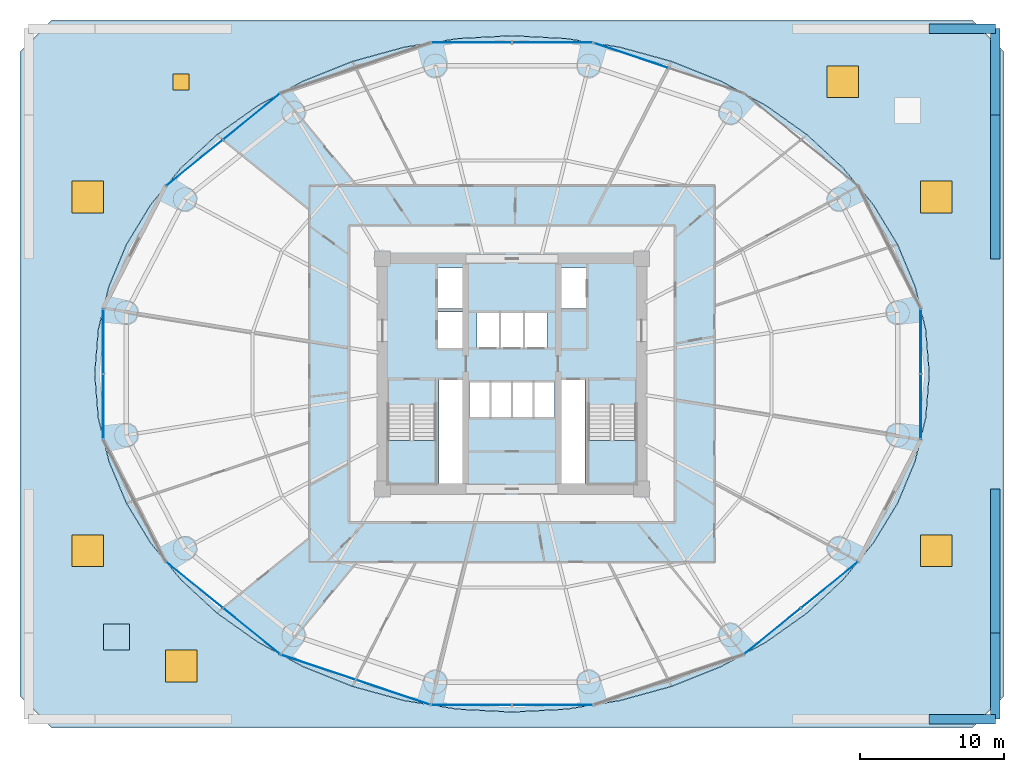
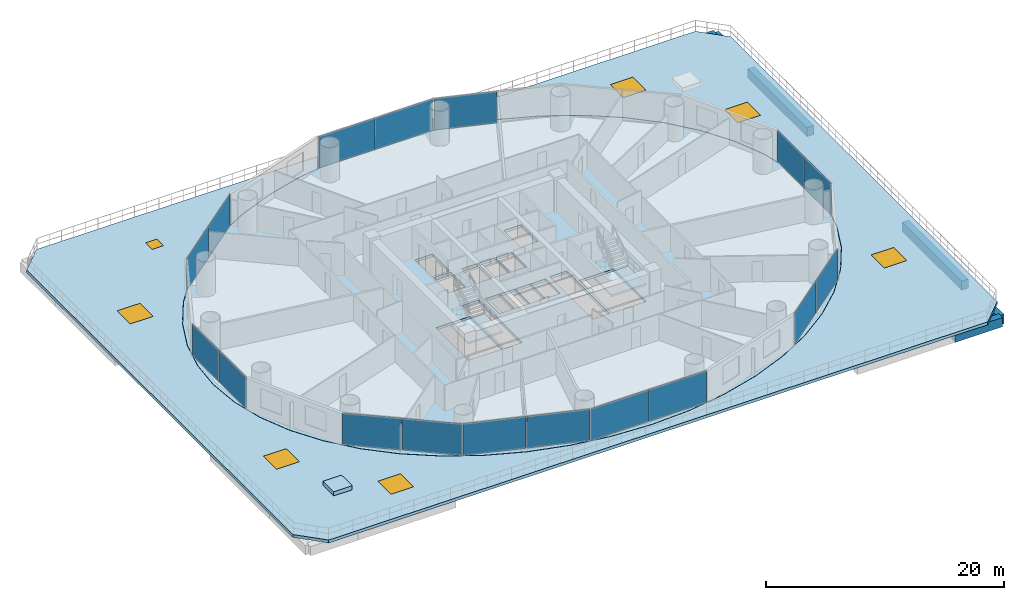
# One storey, part 29 of 37: 17 plates, 6 beams, 6 windows, 5 slabs, 1 door, 7 openings, 11 elements without a shape of their own.
"""IFC4 building model written with IfcOpenShell, lengths in metres."""

import ifcopenshell
import ifcopenshell.guid

model = None  # the IFC model being written
_history = None  # IfcOwnerHistory: only IFC2X3 demands one
_inside = {}  # id of a spatial element -> (the spatial element, [elements in it])
_under = {}  # id of a project, library or spatial element -> (it, [spatial elements below it])
_declared = {}  # id of a project -> (the project, [libraries it declares])
_typed = {}  # id of a type object -> (the type object, [elements of that type])
_made_of = {}  # id of a material, layer set ... -> (it, [elements and type objects made of it])


def new_model(schema):
    """Start an empty IFC model of exactly this schema.

    Asked for "IFC4X3", IfcOpenShell would pick the latest addendum, in which some entities
    have other attributes; the version numbers below select the first issue.
    IFC2X3 requires an IfcOwnerHistory on every rooted entity: one is made here for all.
    """
    global model, _history
    if schema == "IFC4X3":
        model = ifcopenshell.file(schema_version=(4, 3, 0, 0))
    else:
        model = ifcopenshell.file(schema=schema)
    _inside.clear()
    _under.clear()
    _declared.clear()
    _typed.clear()
    _made_of.clear()
    _history = None
    if model.schema == "IFC2X3":
        org = make("IfcOrganization", Name="unknown")
        user = make(
            "IfcPersonAndOrganization",
            ThePerson=make("IfcPerson", FamilyName="unknown"),
            TheOrganization=org,
        )
        app = make(
            "IfcApplication",
            ApplicationDeveloper=org,
            Version="unknown",
            ApplicationFullName="unknown",
            ApplicationIdentifier="unknown",
        )
        _history = make(
            "IfcOwnerHistory",
            OwningUser=user,
            OwningApplication=app,
            ChangeAction="ADDED",
            CreationDate=0,
        )
    return model


def make(cls, **values):
    """One entity of the class cls with the attributes given. An attribute that is None is left unset."""
    return model.create_entity(
        cls, **{name: value for name, value in values.items() if value is not None}
    )


def rooted(cls, **values):
    """An entity with a GlobalId (a new one), such as an element, a storey or a relation."""
    return make(cls, GlobalId=ifcopenshell.guid.new(), OwnerHistory=_history, **values)


def si_unit(unit_type, name, prefix=None):
    """IfcSIUnit, for example si_unit("LENGTHUNIT", "METRE", prefix="MILLI")."""
    return make("IfcSIUnit", UnitType=unit_type, Prefix=prefix, Name=name)


def assignment(units):
    """IfcUnitAssignment: the units of a project."""
    return None if units is None else make("IfcUnitAssignment", Units=units)


def point(xyz):
    """IfcCartesianPoint."""
    return None if xyz is None else make("IfcCartesianPoint", Coordinates=xyz)


def direction(xyz):
    """IfcDirection."""
    return None if xyz is None else make("IfcDirection", DirectionRatios=xyz)


def frame(location, z_axis=None, x_axis=None):
    """IfcAxis2Placement3D, a coordinate frame: its origin and axes. An axis left out is left unset."""
    return make(
        "IfcAxis2Placement3D",
        Location=point(location),
        Axis=direction(z_axis),
        RefDirection=direction(x_axis),
    )


def frame_2d(location, x_axis=None):
    """IfcAxis2Placement2D, a coordinate frame in the plane: its origin and x axis."""
    return make(
        "IfcAxis2Placement2D", Location=point(location), RefDirection=direction(x_axis)
    )


def origin():
    """The frame at (0, 0, 0) with its axes left unset."""
    return frame((0.0, 0.0, 0.0))


def origin_2d():
    """The frame at (0, 0) in the plane with its x axis left unset."""
    return frame_2d((0.0, 0.0))


def place(relative_to, where):
    """IfcLocalPlacement: puts the frame where relative to a parent placement (None: the world)."""
    return make(
        "IfcLocalPlacement", PlacementRelTo=relative_to, RelativePlacement=where
    )


def context(
    kind, dimensions, precision=None, world=None, true_north=None, identifier=None
):
    """IfcGeometricRepresentationContext, for example the 3D "Model" context."""
    return make(
        "IfcGeometricRepresentationContext",
        ContextIdentifier=identifier,
        ContextType=kind,
        CoordinateSpaceDimension=dimensions,
        Precision=precision,
        WorldCoordinateSystem=world,
        TrueNorth=true_north,
    )


def subcontext(parent, identifier, kind, view, scale=None):
    """IfcGeometricRepresentationSubContext, for example "Body" below "Model"."""
    return make(
        "IfcGeometricRepresentationSubContext",
        ContextIdentifier=identifier,
        ContextType=kind,
        ParentContext=parent,
        TargetScale=scale,
        TargetView=view,
    )


def project(units=None, contexts=None):
    """IfcProject with its units and contexts."""
    return rooted(
        "IfcProject",
        Name="project",
        RepresentationContexts=contexts,
        UnitsInContext=assignment(units),
    )


def spatial(cls, under=None, at=None, **own):
    """A site, building, storey or space (cls), placed at a placement, below another one or the project."""
    s = rooted(cls, ObjectPlacement=at, **own)
    if under is not None:
        _under.setdefault(under.id(), (under, []))[1].append(s)
    return s


def polyline(points):
    """IfcPolyline through the points."""
    return make("IfcPolyline", Points=[point(p) for p in points])


def profile(cls, at=None, kind="AREA", **sizes):
    """A parametric profile (cls). Its sizes go by their IFC names, for example OverallWidth=200.0."""
    return make(cls, ProfileType=kind, Position=at, **sizes)


def rectangle(**sizes):
    """IfcRectangleProfileDef."""
    return profile("IfcRectangleProfileDef", **sizes)


def outline(outer, holes=None, kind="AREA"):
    """IfcArbitraryClosedProfileDef: a profile drawn as a closed curve; with holes, ...WithVoids."""
    if holes is None:
        return make("IfcArbitraryClosedProfileDef", ProfileType=kind, OuterCurve=outer)
    return make(
        "IfcArbitraryProfileDefWithVoids",
        ProfileType=kind,
        OuterCurve=outer,
        InnerCurves=holes,
    )


def extrude(swept, where, along, depth):
    """IfcExtrudedAreaSolid: the profile swept, set in the frame where, extruded along a direction by depth."""
    return make(
        "IfcExtrudedAreaSolid",
        SweptArea=swept,
        Position=where,
        ExtrudedDirection=direction(along),
        Depth=depth,
    )


def shape(context_of_items, identifier, shape_type, items):
    """IfcShapeRepresentation: the items that make up one representation, for example the "Body"."""
    return make(
        "IfcShapeRepresentation",
        ContextOfItems=context_of_items,
        RepresentationIdentifier=identifier,
        RepresentationType=shape_type,
        Items=items,
    )


def source(mapping_origin, context_of_items, identifier, shape_type, items):
    """IfcRepresentationMap: a shape defined once, which mapped items show again and again."""
    return make(
        "IfcRepresentationMap",
        MappingOrigin=mapping_origin,
        MappedRepresentation=shape(context_of_items, identifier, shape_type, items),
    )


def transform(
    local_origin,
    x_axis=None,
    y_axis=None,
    z_axis=None,
    scale=None,
    scale2=None,
    scale3=None,
    uniform=True,
):
    """IfcCartesianTransformationOperator3D, or its non-uniform kind. x_axis, y_axis, z_axis: its Axis1, 2, 3."""
    if uniform:
        return make(
            "IfcCartesianTransformationOperator3D",
            Axis1=direction(x_axis),
            Axis2=direction(y_axis),
            LocalOrigin=point(local_origin),
            Scale=scale,
            Axis3=direction(z_axis),
        )
    return make(
        "IfcCartesianTransformationOperator3DnonUniform",
        Axis1=direction(x_axis),
        Axis2=direction(y_axis),
        LocalOrigin=point(local_origin),
        Scale=scale,
        Axis3=direction(z_axis),
        Scale2=scale2,
        Scale3=scale3,
    )


def mapped(mapping_source, mapping_target):
    """IfcMappedItem: shows the shape of a source again, moved by a transform."""
    return make(
        "IfcMappedItem", MappingSource=mapping_source, MappingTarget=mapping_target
    )


def material(Name=None, Category=None):
    """IfcMaterial."""
    return make("IfcMaterial", Name=Name, Category=Category)


def layer(
    of_material, thickness, ventilated=None, Name=None, Category=None, Priority=None
):
    """IfcMaterialLayer: one layer of a wall or slab, of a material (None: an air gap)."""
    return make(
        "IfcMaterialLayer",
        Material=of_material,
        LayerThickness=thickness,
        IsVentilated=ventilated,
        Name=Name,
        Category=Category,
        Priority=Priority,
    )


def layer_set(layers, Name=None):
    """IfcMaterialLayerSet."""
    return make("IfcMaterialLayerSet", MaterialLayers=layers, LayerSetName=Name)


def material_profile(
    of_material, cross_section, Name=None, Category=None, Priority=None
):
    """IfcMaterialProfile: a cross section and its material."""
    return make(
        "IfcMaterialProfile",
        Name=Name,
        Material=of_material,
        Profile=cross_section,
        Priority=Priority,
        Category=Category,
    )


def profile_set(profiles, Name=None, composite=None):
    """IfcMaterialProfileSet."""
    return make(
        "IfcMaterialProfileSet",
        Name=Name,
        MaterialProfiles=profiles,
        CompositeProfile=composite,
    )


def made_of(thing, what):
    """Note that an element or type object is made of a material, layer set ...; save() writes the relation."""
    if what is not None:
        _made_of.setdefault(what.id(), (what, []))[1].append(thing)
    return thing


def type_object(cls, material=None, **own):
    """A type object (cls), such as IfcWallType, which elements share."""
    return made_of(rooted(cls, **own), material)


def element(
    cls,
    number,
    at=None,
    inside=None,
    cuts=None,
    type_object=None,
    material=None,
    context=None,
    identifier="Body",
    shape_type=None,
    held_by="IfcProductDefinitionShape",
    body=None,
    shapes=None,
    **own,
):
    """One element of the class cls, such as IfcWall. Its Tag is "e" and its number.

    at: its placement. inside: the storey or other place that contains it. cuts: it is an
    opening in that element (IfcRelVoidsElement). A single representation is given by context,
    identifier, shape_type and body (its items); several are given by shapes. held_by: the class
    of the entity that holds the representations. save() writes the other relations.
    """
    e = rooted(cls, Tag="e%d" % number, ObjectPlacement=at, **own)
    if body is not None:
        shapes = [shape(context, identifier, shape_type, body)]
    if shapes is not None:
        e.Representation = make(held_by, Representations=shapes)
    if inside is not None:
        _inside.setdefault(inside.id(), (inside, []))[1].append(e)
    if cuts is not None:
        rooted(
            "IfcRelVoidsElement", RelatingBuildingElement=cuts, RelatedOpeningElement=e
        )
    if type_object is not None:
        _typed.setdefault(type_object.id(), (type_object, []))[1].append(e)
    return made_of(e, material)


def fill(opening, filler):
    """IfcRelFillsElement: the door or window that sits in an opening."""
    return rooted(
        "IfcRelFillsElement",
        RelatingOpeningElement=opening,
        RelatedBuildingElement=filler,
    )


def aggregate(whole, parts):
    """IfcRelAggregates: a whole, such as a stair, and the parts it consists of."""
    return rooted("IfcRelAggregates", RelatingObject=whole, RelatedObjects=parts)


def save(model, path):
    """Write the relations noted so far, then the file.

    IfcRelAggregates (storeys below a building ...), IfcRelContainedInSpatialStructure (elements
    in a storey), IfcRelDefinesByType, IfcRelAssociatesMaterial and IfcRelDeclares: one each for
    every whole, place, type object, material and project.
    """
    for whole, parts in _under.values():
        aggregate(whole, parts)
    for where, things in _inside.values():
        rooted(
            "IfcRelContainedInSpatialStructure",
            RelatedElements=things,
            RelatingStructure=where,
        )
    for kind, things in _typed.values():
        rooted("IfcRelDefinesByType", RelatedObjects=things, RelatingType=kind)
    for what, things in _made_of.values():
        rooted("IfcRelAssociatesMaterial", RelatedObjects=things, RelatingMaterial=what)
    for by, libraries in _declared.values():
        rooted("IfcRelDeclares", RelatingContext=by, RelatedDefinitions=libraries)
    model.write(path)


model = new_model("IFC4")

# Units and contexts
model_context = context("Model", 3, precision=1e-05, world=origin(), true_north=direction((-0.2419218956, 0.970295726276)))
body_context = subcontext(model_context, "Body", "Model", "MODEL_VIEW")
ifc_project = project(units=[si_unit("LENGTHUNIT", "METRE"), si_unit("AREAUNIT", "SQUARE_METRE"), si_unit("VOLUMEUNIT", "CUBIC_METRE"), si_unit("PLANEANGLEUNIT", "RADIAN"), si_unit("MASSUNIT", "GRAM", prefix="KILO")], contexts=[model_context])

# Site, building, storey
site_placement = place(None, origin())
site = spatial("IfcSite", under=ifc_project, at=site_placement, CompositionType="ELEMENT")
building_placement = place(site_placement, origin())
building = spatial("IfcBuilding", under=site, at=building_placement, Name="Cobrevalo Terracotta Tower", CompositionType="ELEMENT")
storey_placement = place(building_placement, frame((0.0, 0.0, 24.0)))
storey = spatial("IfcBuildingStorey", under=building, at=storey_placement, Name="L05", CompositionType="ELEMENT", Elevation=24.0)

# Beams
ifc_material_1 = material(Name="Concrete C50", Category="concrete")
ifc_material_profile = material_profile(ifc_material_1, rectangle(XDim=0.64990234375, YDim=0.949951171875, at=origin_2d()), Name="RC BM 650x950")
ifc_profile_set = profile_set([ifc_material_profile], Name="Concrete C50")
beam_type = type_object("IfcBeamType", Name="Structural Spandrel RC BM 650x950 (Concrete C50)", PredefinedType="SPANDREL", material=ifc_profile_set)
for number, where, z_axis, x_axis, name in (
    (1, (67.0, 2.800048828125, -0.7548828125), (1.0, 0.0, 0.0), (0.0, 1.0, 0.0), "L05 podium grid beam G8-GA to G9-GA"),
    (2, (67.0, 50.800048828125, -0.7548828125), (1.0, 0.0, 0.0), (0.0, 1.0, 0.0), "L05 podium grid beam G8-GG to G9-GG"),
):
    element("IfcBeam", number, at=place(storey_placement, frame(where, z_axis=z_axis, x_axis=x_axis)), inside=storey, type_object=beam_type, Name=name, PredefinedType="SPANDREL", context=body_context, shape_type="SweptSolid", body=[
        extrude(rectangle(XDim=0.64990234375, YDim=0.949951171875, at=origin_2d()), origin(), (0.0, 0.0, 1.0), 4.60009765625),
    ])
beam_1_placement = place(storey_placement, frame((71.60009765625, 2.800048828125, -0.7548828125), z_axis=(0.0, 1.0, 0.0), x_axis=(-1.0, 0.0, 0.0)))
element("IfcBeam", 3, at=beam_1_placement, inside=storey, type_object=beam_type, Name="L05 podium grid beam G9-GA to G9-GB", PredefinedType="SPANDREL", context=body_context, shape_type="SweptSolid", body=[
    extrude(rectangle(XDim=0.64990234375, YDim=0.949951171875, at=origin_2d()), origin(), (0.0, 0.0, 1.0), 6.0),
])
for number, where, z_axis, x_axis, name in (
    (4, (71.60009765625, 8.800048828125, -0.7548828125), (0.0, 1.0, 0.0), (-1.0, 0.0, 0.0), "L05 podium grid beam G9-GB to G9-GC"),
    (5, (71.60009765625, 34.800048828125, -0.7548828125), (0.0, 1.0, 0.0), (-1.0, 0.0, 0.0), "L05 podium grid beam G9-GE to G9-GF"),
):
    element("IfcBeam", number, at=place(storey_placement, frame(where, z_axis=z_axis, x_axis=x_axis)), inside=storey, type_object=beam_type, Name=name, PredefinedType="SPANDREL", context=body_context, shape_type="SweptSolid", body=[
        extrude(rectangle(XDim=0.64990234375, YDim=0.949951171875, at=origin_2d()), origin(), (0.0, 0.0, 1.0), 10.0),
    ])
beam_2_placement = place(storey_placement, frame((71.60009765625, 44.800048828125, -0.7548828125), z_axis=(0.0, 1.0, 0.0), x_axis=(-1.0, 0.0, 0.0)))
element("IfcBeam", 6, at=beam_2_placement, inside=storey, type_object=beam_type, Name="L05 podium grid beam G9-GF to G9-GG", PredefinedType="SPANDREL", context=body_context, shape_type="SweptSolid", body=[
    extrude(rectangle(XDim=0.64990234375, YDim=0.949951171875, at=origin_2d()), origin(), (0.0, 0.0, 1.0), 6.0),
])

# Slab, openings, windows, door
ifc_layer_1 = layer(ifc_material_1, 0.300048828125)
ifc_layer_set_1 = layer_set([ifc_layer_1], Name="Concrete C50")
slab_type_1 = type_object("IfcSlabType", Name="Raised podium roof garden terrace slab 300 mm", PredefinedType="ROOF", material=ifc_layer_set_1)
slab_1_placement = place(storey_placement, frame((0.0, 0.0, -0.300048828125)))
slab_1 = element("IfcSlab", 7, at=slab_1_placement, inside=storey, type_object=slab_type_1, Name="raised podium roof garden terrace slab", PredefinedType="ROOF", context=body_context, shape_type="SweptSolid", body=[
    extrude(outline(polyline([(3.800048828125, 49.199951171875), (6.0, 51.39990234375), (70.0, 51.39990234375), (72.199951171875, 49.199951171875), (72.199951171875, 4.39990234375), (70.0, 2.199951171875), (6.0, 2.199951171875), (3.800048828125, 4.39990234375), (3.800048828125, 49.199951171875)]), holes=[polyline([(16.10009765625, 7.60009765625), (13.89990234375, 7.60009765625), (13.89990234375, 5.39990234375), (16.10009765625, 5.39990234375), (16.10009765625, 7.60009765625)]), polyline([(9.60009765625, 15.60009765625), (7.39990234375, 15.60009765625), (7.39990234375, 13.39990234375), (9.60009765625, 13.39990234375), (9.60009765625, 15.60009765625)]), polyline([(68.60009765625, 15.60009765625), (66.39990234375, 15.60009765625), (66.39990234375, 13.39990234375), (68.60009765625, 13.39990234375), (68.60009765625, 15.60009765625)]), polyline([(66.766845703125, 23.730712890625), (67.014892578125, 26.800048828125), (66.766845703125, 29.869384765625), (66.0263671875, 32.88623046875), (64.806396484375, 35.798828125), (63.127685546875, 38.5576171875), (61.01904296875, 41.114990234375), (58.5166015625, 43.427734375), (55.663330078125, 45.455810546875), (52.507568359375, 47.16455078125), (49.103515625, 48.525146484375), (45.509521484375, 49.513671875), (41.787109375, 50.11376953125), (38.0, 50.31494140625), (34.212890625, 50.11376953125), (30.490478515625, 49.513671875), (26.896484375, 48.525146484375), (23.492431640625, 47.16455078125), (20.336669921875, 45.455810546875), (17.4833984375, 43.427734375), (14.98095703125, 41.114990234375), (12.872314453125, 38.5576171875), (11.193603515625, 35.798828125), (9.9736328125, 32.88623046875), (9.233154296875, 29.869384765625), (8.985107421875, 26.800048828125), (9.233154296875, 23.730712890625), (9.9736328125, 20.7138671875), (11.193603515625, 17.80126953125), (12.872314453125, 15.04248046875), (14.98095703125, 12.48486328125), (17.4833984375, 10.17236328125), (20.336669921875, 8.144287109375), (23.492431640625, 6.435302734375), (26.896484375, 5.074951171875), (30.490478515625, 4.086181640625), (34.212890625, 3.486083984375), (38.0, 3.284912109375), (41.787109375, 3.486083984375), (45.509521484375, 4.086181640625), (49.103515625, 5.074951171875), (52.507568359375, 6.435302734375), (55.663330078125, 8.144287109375), (58.5166015625, 10.17236328125), (61.01904296875, 12.48486328125), (63.127685546875, 15.04248046875), (64.806396484375, 17.80126953125), (66.0263671875, 20.7138671875), (66.766845703125, 23.730712890625)]), polyline([(9.60009765625, 40.199951171875), (7.39990234375, 40.199951171875), (7.39990234375, 38.0), (9.60009765625, 38.0), (9.60009765625, 40.199951171875)]), polyline([(68.60009765625, 40.199951171875), (66.39990234375, 40.199951171875), (66.39990234375, 38.0), (68.60009765625, 38.0), (68.60009765625, 40.199951171875)]), polyline([(15.550048828125, 47.64990234375), (14.449951171875, 47.64990234375), (14.449951171875, 46.550048828125), (15.550048828125, 46.550048828125), (15.550048828125, 47.64990234375)]), polyline([(62.10009765625, 48.199951171875), (59.89990234375, 48.199951171875), (59.89990234375, 46.0), (62.10009765625, 46.0), (62.10009765625, 48.199951171875)])]), origin(), (0.0, 0.0, 1.0), 0.300048828125),
])
opening_1_placement = place(slab_1_placement, frame((8.5, 14.5, 0.0)))
opening_1 = element("IfcOpeningElement", 8, at=opening_1_placement, cuts=slab_1, Name="Opening WN-17", PredefinedType="OPENING", context=body_context, shape_type="SweptSolid", body=[
    extrude(rectangle(XDim=2.199951171875, YDim=2.199951171875, at=origin_2d()), origin(), (0.0, 0.0, 1.0), 0.300048828125),
])
opening_2_placement = place(slab_1_placement, frame((67.5, 14.5, 0.0)))
opening_2 = element("IfcOpeningElement", 9, at=opening_2_placement, cuts=slab_1, Name="Opening WN-17", PredefinedType="OPENING", context=body_context, shape_type="SweptSolid", body=[
    extrude(rectangle(XDim=2.199951171875, YDim=2.199951171875, at=origin_2d()), origin(), (0.0, 0.0, 1.0), 0.300048828125),
])
opening_3_placement = place(slab_1_placement, frame((8.5, 39.10009765625, 0.0)))
opening_3 = element("IfcOpeningElement", 10, at=opening_3_placement, cuts=slab_1, Name="Opening WN-17", PredefinedType="OPENING", context=body_context, shape_type="SweptSolid", body=[
    extrude(rectangle(XDim=2.199951171875, YDim=2.199951171875, at=origin_2d()), origin(), (0.0, 0.0, 1.0), 0.300048828125),
])
opening_4_placement = place(slab_1_placement, frame((67.5, 39.10009765625, 0.0)))
opening_4 = element("IfcOpeningElement", 11, at=opening_4_placement, cuts=slab_1, Name="Opening WN-17", PredefinedType="OPENING", context=body_context, shape_type="SweptSolid", body=[
    extrude(rectangle(XDim=2.199951171875, YDim=2.199951171875, at=origin_2d()), origin(), (0.0, 0.0, 1.0), 0.300048828125),
])
opening_5_placement = place(slab_1_placement, frame((15.0, 6.5, 0.0)))
opening_5 = element("IfcOpeningElement", 12, at=opening_5_placement, cuts=slab_1, Name="Opening WN-17", PredefinedType="OPENING", context=body_context, shape_type="SweptSolid", body=[
    extrude(rectangle(XDim=2.199951171875, YDim=2.199951171875, at=origin_2d()), origin(), (0.0, 0.0, 1.0), 0.300048828125),
])
opening_6_placement = place(slab_1_placement, frame((61.0, 47.10009765625, 0.0)))
opening_6 = element("IfcOpeningElement", 13, at=opening_6_placement, cuts=slab_1, Name="Opening WN-17", PredefinedType="OPENING", context=body_context, shape_type="SweptSolid", body=[
    extrude(rectangle(XDim=2.199951171875, YDim=2.199951171875, at=origin_2d()), origin(), (0.0, 0.0, 1.0), 0.300048828125),
])
opening_7_placement = place(slab_1_placement, frame((15.0, 47.10009765625, 0.0)))
opening_7 = element("IfcOpeningElement", 14, at=opening_7_placement, cuts=slab_1, Name="Opening ED-04", PredefinedType="OPENING", context=body_context, shape_type="SweptSolid", body=[
    extrude(rectangle(XDim=1.10009765625, YDim=1.10009765625, at=origin_2d()), origin(), (0.0, 0.0, 1.0), 0.300048828125),
])
ifc_material_2 = material(Name="Solar-control low-E double glazing", Category="glass")
window_type = type_object("IfcWindowType", Name="Garden pavilion roof skylight 2200x2200", PartitioningType="SINGLE_PANEL", PredefinedType="SKYLIGHT", material=ifc_material_2)
window_1_placement = place(opening_1_placement, frame((0.0, 0.0, 0.260009765625)))
window_1 = element("IfcWindow", 15, at=window_1_placement, inside=storey, type_object=window_type, Name="L05 podium garden skylight 1", OverallHeight=2.199951171875, OverallWidth=2.199951171875, PartitioningType="SINGLE_PANEL", PredefinedType="SKYLIGHT", context=body_context, shape_type="SweptSolid", body=[
    extrude(rectangle(XDim=2.199951171875, YDim=2.199951171875, at=origin_2d()), origin(), (0.0, 0.0, 1.0), 0.0400390625),
])
fill(opening_1, window_1)
window_2_placement = place(opening_2_placement, frame((0.0, 0.0, 0.260009765625)))
window_2 = element("IfcWindow", 16, at=window_2_placement, inside=storey, type_object=window_type, Name="L05 podium garden skylight 2", OverallHeight=2.199951171875, OverallWidth=2.199951171875, PartitioningType="SINGLE_PANEL", PredefinedType="SKYLIGHT", context=body_context, shape_type="SweptSolid", body=[
    extrude(rectangle(XDim=2.199951171875, YDim=2.199951171875, at=origin_2d()), origin(), (0.0, 0.0, 1.0), 0.0400390625),
])
fill(opening_2, window_2)
window_3_placement = place(opening_3_placement, frame((0.0, 0.0, 0.260009765625)))
window_3 = element("IfcWindow", 17, at=window_3_placement, inside=storey, type_object=window_type, Name="L05 podium garden skylight 3", OverallHeight=2.199951171875, OverallWidth=2.199951171875, PartitioningType="SINGLE_PANEL", PredefinedType="SKYLIGHT", context=body_context, shape_type="SweptSolid", body=[
    extrude(rectangle(XDim=2.199951171875, YDim=2.199951171875, at=origin_2d()), origin(), (0.0, 0.0, 1.0), 0.0400390625),
])
fill(opening_3, window_3)
window_4_placement = place(opening_4_placement, frame((0.0, 0.0, 0.260009765625)))
window_4 = element("IfcWindow", 18, at=window_4_placement, inside=storey, type_object=window_type, Name="L05 podium garden skylight 4", OverallHeight=2.199951171875, OverallWidth=2.199951171875, PartitioningType="SINGLE_PANEL", PredefinedType="SKYLIGHT", context=body_context, shape_type="SweptSolid", body=[
    extrude(rectangle(XDim=2.199951171875, YDim=2.199951171875, at=origin_2d()), origin(), (0.0, 0.0, 1.0), 0.0400390625),
])
fill(opening_4, window_4)
window_5_placement = place(opening_5_placement, frame((0.0, 0.0, 0.260009765625)))
window_5 = element("IfcWindow", 19, at=window_5_placement, inside=storey, type_object=window_type, Name="L05 podium garden skylight 5", OverallHeight=2.199951171875, OverallWidth=2.199951171875, PartitioningType="SINGLE_PANEL", PredefinedType="SKYLIGHT", context=body_context, shape_type="SweptSolid", body=[
    extrude(rectangle(XDim=2.199951171875, YDim=2.199951171875, at=origin_2d()), origin(), (0.0, 0.0, 1.0), 0.0400390625),
])
fill(opening_5, window_5)
window_6_placement = place(opening_6_placement, frame((0.0, 0.0, 0.260009765625)))
window_6 = element("IfcWindow", 20, at=window_6_placement, inside=storey, type_object=window_type, Name="L05 podium garden skylight 6", OverallHeight=2.199951171875, OverallWidth=2.199951171875, PartitioningType="SINGLE_PANEL", PredefinedType="SKYLIGHT", context=body_context, shape_type="SweptSolid", body=[
    extrude(rectangle(XDim=2.199951171875, YDim=2.199951171875, at=origin_2d()), origin(), (0.0, 0.0, 1.0), 0.0400390625),
])
fill(opening_6, window_6)
ifc_material_3 = material(Name="Galvanized powder-coated steel", Category="steel")
door_type = type_object("IfcDoorType", Name="Roof and overrun maintenance access hatch 1100x1100", OperationType="SINGLE_SWING_LEFT", PredefinedType="TRAPDOOR", material=ifc_material_3)
door_placement = place(opening_7_placement, frame((0.0, 0.0, 0.260009765625)))
door = element("IfcDoor", 21, at=door_placement, inside=storey, type_object=door_type, Name="L05 podium roof maintenance trapdoor hatch", OperationType="SINGLE_SWING_LEFT", OverallHeight=1.10009765625, OverallWidth=1.10009765625, PredefinedType="TRAPDOOR", context=body_context, shape_type="SweptSolid", body=[
    extrude(rectangle(XDim=1.10009765625, YDim=1.10009765625, at=origin_2d()), origin(), (0.0, 0.0, 1.0), 0.0400390625),
])
fill(opening_7, door)

# Stair, slab
stair_type = type_object("IfcStairType", Name="Core protected escape dogleg stair 1600", PredefinedType="HALF_TURN_STAIR", material=ifc_material_1)
stair_1_placement = place(storey_placement, origin())
stair_1 = element("IfcStair", 22, at=stair_1_placement, inside=storey, type_object=stair_type, Name="L05 Protected exit stair ST-1", PredefinedType="HALF_TURN_STAIR")
ifc_layer_2 = layer(ifc_material_1, 0.199951171875)
ifc_layer_set_2 = layer_set([ifc_layer_2], Name="Concrete C50")
slab_type_2 = type_object("IfcSlabType", Name="Reinforced Concrete Stair Landing 200", PredefinedType="LANDING", material=ifc_layer_set_2)
slab_2_placement = place(storey_placement, frame((0.0, 0.0, 1.60009765625)))
slab_2 = element("IfcSlab", 23, at=slab_2_placement, type_object=slab_type_2, Name="ST-1 landing 1", PredefinedType="LANDING", context=body_context, shape_type="SweptSolid", body=[
    extrude(outline(polyline([(29.375, 22.179931640625), (29.375, 19.175048828125), (32.695068359375, 19.175048828125), (32.695068359375, 22.179931640625), (29.375, 22.179931640625)])), origin(), (0.0, 0.0, 1.0), 0.199951171875),
])
aggregate(stair_1, [slab_2])

stair_2_placement = place(storey_placement, origin())
stair_2 = element("IfcStair", 24, at=stair_2_placement, inside=storey, type_object=stair_type, Name="L05 Protected exit stair ST-2", PredefinedType="HALF_TURN_STAIR")
slab_3_placement = place(storey_placement, frame((0.0, 0.0, 1.60009765625)))
slab_3 = element("IfcSlab", 25, at=slab_3_placement, type_object=slab_type_2, Name="ST-2 landing 1", PredefinedType="LANDING", context=body_context, shape_type="SweptSolid", body=[
    extrude(outline(polyline([(43.304931640625, 22.179931640625), (43.304931640625, 19.175048828125), (46.625, 19.175048828125), (46.625, 22.179931640625), (43.304931640625, 22.179931640625)])), origin(), (0.0, 0.0, 1.0), 0.199951171875),
])
aggregate(stair_2, [slab_3])

# Slabs
ifc_material_4 = material(Name="Precast concrete C45", Category="concrete")
ifc_layer_3 = layer(ifc_material_4, 0.419921875)
ifc_layer_set_3 = layer_set([ifc_layer_3], Name="Precast concrete C45")
slab_type_3 = type_object("IfcSlabType", Name="Structural tree planter trough base 420 mm", PredefinedType="USERDEFINED", material=ifc_layer_set_3)
slab_4_placement = place(storey_placement, origin())
element("IfcSlab", 26, at=slab_4_placement, inside=storey, type_object=slab_type_3, Name="L05 raised garden tree planter 5", ObjectType="PLANTER", PredefinedType="USERDEFINED", context=body_context, shape_type="SweptSolid", body=[
    extrude(outline(polyline([(9.60009765625, 7.60009765625), (11.39990234375, 7.60009765625), (11.39990234375, 9.39990234375), (9.60009765625, 9.39990234375), (9.60009765625, 7.60009765625)])), origin(), (0.0, 0.0, 1.0), 0.419921875),
])
ifc_layer_4 = layer(ifc_material_1, 0.280029296875)
ifc_layer_set_4 = layer_set([ifc_layer_4], Name="Concrete C50")
slab_type_4 = type_object("IfcSlabType", Name="Zone Z1 elliptical floor plate 280 mm", PredefinedType="FLOOR", material=ifc_layer_set_4)
slab_5_placement = place(storey_placement, frame((0.0, 0.0, -0.280029296875)))
element("IfcSlab", 27, at=slab_5_placement, inside=storey, type_object=slab_type_4, Name="L05 indoor elliptical floor slab", PredefinedType="FLOOR", context=body_context, shape_type="SweptSolid", body=[
    extrude(outline(polyline([(66.751953125, 23.732666015625), (66.011962890625, 20.7177734375), (64.79248046875, 17.806884765625), (63.11474609375, 15.050048828125), (61.00732421875, 12.494140625), (58.506103515625, 10.18310546875), (55.654052734375, 8.15625), (52.5, 6.448486328125), (49.097900390625, 5.0888671875), (45.505859375, 4.100830078125), (41.78515625, 3.5009765625), (38.0, 3.300048828125), (34.21484375, 3.5009765625), (30.494140625, 4.100830078125), (26.902099609375, 5.0888671875), (23.5, 6.448486328125), (20.345947265625, 8.15625), (17.493896484375, 10.18310546875), (14.99267578125, 12.494140625), (12.88525390625, 15.050048828125), (11.20751953125, 17.806884765625), (9.988037109375, 20.7177734375), (9.248046875, 23.732666015625), (9.0, 26.800048828125), (9.248046875, 29.867431640625), (9.988037109375, 32.88232421875), (11.20751953125, 35.79296875), (12.88525390625, 38.550048828125), (14.99267578125, 41.10595703125), (17.493896484375, 43.4169921875), (20.345947265625, 45.44384765625), (23.5, 47.151611328125), (26.902099609375, 48.51123046875), (30.494140625, 49.499267578125), (34.21484375, 50.098876953125), (38.0, 50.300048828125), (41.78515625, 50.098876953125), (45.505859375, 49.499267578125), (49.097900390625, 48.51123046875), (52.5, 47.151611328125), (55.654052734375, 45.44384765625), (58.506103515625, 43.4169921875), (61.00732421875, 41.10595703125), (63.11474609375, 38.550048828125), (64.79248046875, 35.79296875), (66.011962890625, 32.88232421875), (66.751953125, 29.867431640625), (67.0, 26.800048828125), (66.751953125, 23.732666015625)]), holes=[polyline([(32.695068359375, 19.175048828125), (32.695068359375, 24.659912109375), (29.375, 24.659912109375), (29.375, 19.175048828125), (32.695068359375, 19.175048828125)]), polyline([(34.574951171875, 19.175048828125), (34.574951171875, 26.360107421875), (32.919921875, 26.360107421875), (32.919921875, 19.175048828125), (34.574951171875, 19.175048828125)]), polyline([(36.47998046875, 23.800048828125), (36.47998046875, 26.25), (35.050048828125, 26.25), (35.050048828125, 23.800048828125), (36.47998046875, 23.800048828125)]), polyline([(37.9599609375, 23.800048828125), (37.9599609375, 26.25), (36.530029296875, 26.25), (36.530029296875, 23.800048828125), (37.9599609375, 23.800048828125)]), polyline([(37.1201171875, 28.60009765625), (37.1201171875, 31.050048828125), (35.550048828125, 31.050048828125), (35.550048828125, 28.60009765625), (37.1201171875, 28.60009765625)]), polyline([(34.550048828125, 28.60009765625), (34.550048828125, 31.10009765625), (32.85009765625, 31.10009765625), (32.85009765625, 28.60009765625), (34.550048828125, 28.60009765625)]), polyline([(34.550048828125, 31.35009765625), (34.550048828125, 34.14990234375), (32.85009765625, 34.14990234375), (32.85009765625, 31.35009765625), (34.550048828125, 31.35009765625)]), polyline([(46.625, 19.175048828125), (46.625, 24.659912109375), (43.304931640625, 24.659912109375), (43.304931640625, 19.175048828125), (46.625, 19.175048828125)]), polyline([(43.080078125, 19.175048828125), (43.080078125, 26.360107421875), (41.425048828125, 26.360107421875), (41.425048828125, 19.175048828125), (43.080078125, 19.175048828125)]), polyline([(39.469970703125, 23.800048828125), (39.469970703125, 26.25), (38.0400390625, 26.25), (38.0400390625, 23.800048828125), (39.469970703125, 23.800048828125)]), polyline([(40.949951171875, 23.800048828125), (40.949951171875, 26.25), (39.52001953125, 26.25), (39.52001953125, 23.800048828125), (40.949951171875, 23.800048828125)]), polyline([(38.780029296875, 28.60009765625), (38.780029296875, 31.050048828125), (37.219970703125, 31.050048828125), (37.219970703125, 28.60009765625), (38.780029296875, 28.60009765625)]), polyline([(40.449951171875, 28.60009765625), (40.449951171875, 31.050048828125), (38.8798828125, 31.050048828125), (38.8798828125, 28.60009765625), (40.449951171875, 28.60009765625)]), polyline([(43.14990234375, 31.35009765625), (43.14990234375, 34.14990234375), (41.449951171875, 34.14990234375), (41.449951171875, 31.35009765625), (43.14990234375, 31.35009765625)])]), origin(), (0.0, 0.0, 1.0), 0.280029296875),
])

# Curtain wall, plates
ifc_material_5 = material(Name="Anodized aluminium", Category="aluminium")
curtain_wall_type = type_object("IfcCurtainWallType", Name="Lower-tower unitised acoustic low-E curtain wall CW-U1", PredefinedType="NOTDEFINED", material=ifc_material_5)
curtain_wall_1_placement = place(storey_placement, origin())
curtain_wall_1 = element("IfcCurtainWall", 28, at=curtain_wall_1_placement, inside=storey, type_object=curtain_wall_type, Name="L05 curtain wall CW-L05-S06", PredefinedType="NOTDEFINED")
ifc_layer_5 = layer(ifc_material_2, 0.028076171875)
ifc_layer_set_5 = layer_set([ifc_layer_5], Name="Solar-control low-E double glazing")
plate_type = type_object("IfcPlateType", Name="Tower solar-control low-E vision glass panel 28 mm", PredefinedType="CURTAIN_PANEL", material=ifc_layer_set_5)
shared_shape_1 = source(origin(), body_context, "Body", "SweptSolid", [
    extrude(rectangle(XDim=5.023193359375, YDim=0.035888671875, at=origin_2d()), origin(), (0.0, 0.0, 1.0), 3.239990234375),
])
plate_1_placement = place(storey_placement, frame((19.891357421875, 44.68310546875, 0.0400390625), z_axis=(0.0, 0.0, 1.0), x_axis=(-0.777007547884, -0.629491279154, 0.0)))
plate_1 = element("IfcPlate", 29, at=plate_1_placement, type_object=plate_type, Name="CW-L05-S06 glazing panel B01", PredefinedType="CURTAIN_PANEL", context=body_context, shape_type="MappedRepresentation", body=[
    mapped(shared_shape_1, transform((0.0, 0.0, 0.0), scale=1.0)),
])
plate_2_placement = place(storey_placement, frame((15.926025390625, 41.470703125, 0.0400390625), z_axis=(0.0, 0.0, 1.0), x_axis=(-0.777007547884, -0.629491279154, 0.0)))
plate_2 = element("IfcPlate", 30, at=plate_2_placement, type_object=plate_type, Name="CW-L05-S06 glazing panel B02", PredefinedType="CURTAIN_PANEL", context=body_context, shape_type="MappedRepresentation", body=[
    mapped(shared_shape_1, transform((0.0, 0.0, 0.0), scale=1.0)),
])
aggregate(curtain_wall_1, [plate_1, plate_2])

curtain_wall_2_placement = place(storey_placement, origin())
curtain_wall_2 = element("IfcCurtainWall", 31, at=curtain_wall_2_placement, inside=storey, type_object=curtain_wall_type, Name="L05 curtain wall CW-L05-S10", PredefinedType="NOTDEFINED")
plate_3_placement = place(storey_placement, frame((15.926025390625, 12.12939453125, 0.0400390625), z_axis=(0.0, 0.0, 1.0), x_axis=(0.777007547884, -0.629491279154, 0.0)))
plate_3 = element("IfcPlate", 32, at=plate_3_placement, type_object=plate_type, Name="CW-L05-S10 glazing panel B01", PredefinedType="CURTAIN_PANEL", context=body_context, shape_type="MappedRepresentation", body=[
    mapped(shared_shape_1, transform((0.0, 0.0, 0.0), scale=1.0)),
])
plate_4_placement = place(storey_placement, frame((19.891357421875, 8.916748046875, 0.0400390625), z_axis=(0.0, 0.0, 1.0), x_axis=(0.777007547884, -0.629491279154, 0.0)))
plate_4 = element("IfcPlate", 33, at=plate_4_placement, type_object=plate_type, Name="CW-L05-S10 glazing panel B02", PredefinedType="CURTAIN_PANEL", context=body_context, shape_type="MappedRepresentation", body=[
    mapped(shared_shape_1, transform((0.0, 0.0, 0.0), scale=1.0)),
])
aggregate(curtain_wall_2, [plate_3, plate_4])

curtain_wall_3_placement = place(storey_placement, origin())
curtain_wall_3 = element("IfcCurtainWall", 34, at=curtain_wall_3_placement, inside=storey, type_object=curtain_wall_type, Name="L05 curtain wall CW-L05-S14", PredefinedType="NOTDEFINED")
plate_5_placement = place(storey_placement, frame((56.108642578125, 8.916748046875, 0.0400390625), z_axis=(0.0, 0.0, 1.0), x_axis=(0.777007547884, 0.629491279154, 0.0)))
plate_5 = element("IfcPlate", 35, at=plate_5_placement, type_object=plate_type, Name="CW-L05-S14 glazing panel B01", PredefinedType="CURTAIN_PANEL", context=body_context, shape_type="MappedRepresentation", body=[
    mapped(shared_shape_1, transform((0.0, 0.0, 0.0), scale=1.0)),
])
plate_6_placement = place(storey_placement, frame((60.073974609375, 12.12939453125, 0.0400390625), z_axis=(0.0, 0.0, 1.0), x_axis=(0.777007547884, 0.629491279154, 0.0)))
plate_6 = element("IfcPlate", 36, at=plate_6_placement, type_object=plate_type, Name="CW-L05-S14 glazing panel B02", PredefinedType="CURTAIN_PANEL", context=body_context, shape_type="MappedRepresentation", body=[
    mapped(shared_shape_1, transform((0.0, 0.0, 0.0), scale=1.0)),
])
aggregate(curtain_wall_3, [plate_5, plate_6])

# Curtain wall, plate
curtain_wall_4_placement = place(storey_placement, origin())
curtain_wall_4 = element("IfcCurtainWall", 37, at=curtain_wall_4_placement, inside=storey, type_object=curtain_wall_type, Name="L05 curtain wall CW-L05-S03", PredefinedType="NOTDEFINED")
shared_shape_2 = source(origin(), body_context, "Body", "SweptSolid", [
    extrude(rectangle(XDim=5.3876953125, YDim=0.035888671875, at=origin_2d()), origin(), (0.0, 0.0, 1.0), 3.239990234375),
])
plate_7_placement = place(storey_placement, frame((46.281494140625, 48.9365234375, 0.0400390625), z_axis=(0.0, 0.0, 1.0), x_axis=(-0.948044172593, 0.318138722592, 0.0)))
plate_7 = element("IfcPlate", 38, at=plate_7_placement, type_object=plate_type, Name="CW-L05-S03 glazing panel B02", PredefinedType="CURTAIN_PANEL", context=body_context, shape_type="MappedRepresentation", body=[
    mapped(shared_shape_2, transform((0.0, 0.0, 0.0), scale=1.0)),
])
aggregate(curtain_wall_4, [plate_7])

# Curtain wall, plates
curtain_wall_5_placement = place(storey_placement, origin())
curtain_wall_5 = element("IfcCurtainWall", 39, at=curtain_wall_5_placement, inside=storey, type_object=curtain_wall_type, Name="L05 curtain wall CW-L05-S11", PredefinedType="NOTDEFINED")
plate_8_placement = place(storey_placement, frame((24.534912109375, 6.40283203125, 0.0400390625), z_axis=(0.0, 0.0, 1.0), x_axis=(0.948044172593, -0.318138722592, 0.0)))
plate_8 = element("IfcPlate", 40, at=plate_8_placement, type_object=plate_type, Name="CW-L05-S11 glazing panel B01", PredefinedType="CURTAIN_PANEL", context=body_context, shape_type="MappedRepresentation", body=[
    mapped(shared_shape_2, transform((0.0, 0.0, 0.0), scale=1.0)),
])
plate_9_placement = place(storey_placement, frame((29.718505859375, 4.663330078125, 0.0400390625), z_axis=(0.0, 0.0, 1.0), x_axis=(0.948044172593, -0.318138722592, 0.0)))
plate_9 = element("IfcPlate", 41, at=plate_9_placement, type_object=plate_type, Name="CW-L05-S11 glazing panel B02", PredefinedType="CURTAIN_PANEL", context=body_context, shape_type="MappedRepresentation", body=[
    mapped(shared_shape_2, transform((0.0, 0.0, 0.0), scale=1.0)),
])
aggregate(curtain_wall_5, [plate_8, plate_9])

curtain_wall_6_placement = place(storey_placement, origin())
curtain_wall_6 = element("IfcCurtainWall", 42, at=curtain_wall_6_placement, inside=storey, type_object=curtain_wall_type, Name="L05 curtain wall CW-L05-S04", PredefinedType="NOTDEFINED")
shared_shape_3 = source(origin(), body_context, "Body", "SweptSolid", [
    extrude(rectangle(XDim=5.53173828125, YDim=0.035888671875, at=origin_2d()), origin(), (0.0, 0.0, 1.0), 3.239990234375),
])
plate_10_placement = place(storey_placement, frame((40.805908203125, 49.819091796875, 0.0400390625), z_axis=(0.0, 0.0, 1.0), x_axis=(-1.0, 0.0, 0.0)))
plate_10 = element("IfcPlate", 43, at=plate_10_placement, type_object=plate_type, Name="CW-L05-S04 glazing panel B01", PredefinedType="CURTAIN_PANEL", context=body_context, shape_type="MappedRepresentation", body=[
    mapped(shared_shape_3, transform((0.0, 0.0, 0.0), scale=1.0)),
])
plate_11_placement = place(storey_placement, frame((35.194091796875, 49.819091796875, 0.0400390625), z_axis=(0.0, 0.0, 1.0), x_axis=(-1.0, 0.0, 0.0)))
plate_11 = element("IfcPlate", 44, at=plate_11_placement, type_object=plate_type, Name="CW-L05-S04 glazing panel B02", PredefinedType="CURTAIN_PANEL", context=body_context, shape_type="MappedRepresentation", body=[
    mapped(shared_shape_3, transform((0.0, 0.0, 0.0), scale=1.0)),
])
aggregate(curtain_wall_6, [plate_10, plate_11])

curtain_wall_7_placement = place(storey_placement, origin())
curtain_wall_7 = element("IfcCurtainWall", 45, at=curtain_wall_7_placement, inside=storey, type_object=curtain_wall_type, Name="L05 curtain wall CW-L05-S12", PredefinedType="NOTDEFINED")
plate_12_placement = place(storey_placement, frame((35.194091796875, 3.781005859375, 0.0400390625), z_axis=(0.0, 0.0, 1.0), x_axis=(1.0, 0.0, 0.0)))
plate_12 = element("IfcPlate", 46, at=plate_12_placement, type_object=plate_type, Name="CW-L05-S12 glazing panel B01", PredefinedType="CURTAIN_PANEL", context=body_context, shape_type="MappedRepresentation", body=[
    mapped(shared_shape_3, transform((0.0, 0.0, 0.0), scale=1.0)),
])
plate_13_placement = place(storey_placement, frame((40.805908203125, 3.781005859375, 0.0400390625), z_axis=(0.0, 0.0, 1.0), x_axis=(1.0, 0.0, 0.0)))
plate_13 = element("IfcPlate", 47, at=plate_13_placement, type_object=plate_type, Name="CW-L05-S12 glazing panel B02", PredefinedType="CURTAIN_PANEL", context=body_context, shape_type="MappedRepresentation", body=[
    mapped(shared_shape_3, transform((0.0, 0.0, 0.0), scale=1.0)),
])
aggregate(curtain_wall_7, [plate_12, plate_13])

curtain_wall_8_placement = place(storey_placement, origin())
curtain_wall_8 = element("IfcCurtainWall", 48, at=curtain_wall_8_placement, inside=storey, type_object=curtain_wall_type, Name="L05 curtain wall CW-L05-S08", PredefinedType="NOTDEFINED")
shared_shape_4 = source(origin(), body_context, "Body", "SweptSolid", [
    extrude(rectangle(XDim=4.458740234375, YDim=0.035888671875, at=origin_2d()), origin(), (0.0, 0.0, 1.0), 3.239990234375),
])
plate_14_placement = place(storey_placement, frame((9.586669921875, 29.0693359375, 0.0400390625), z_axis=(0.0, 0.0, 1.0), x_axis=(0.0, -1.0, 0.0)))
plate_14 = element("IfcPlate", 49, at=plate_14_placement, type_object=plate_type, Name="CW-L05-S08 glazing panel B01", PredefinedType="CURTAIN_PANEL", context=body_context, shape_type="MappedRepresentation", body=[
    mapped(shared_shape_4, transform((0.0, 0.0, 0.0), scale=1.0)),
])
plate_15_placement = place(storey_placement, frame((9.586669921875, 24.530517578125, 0.0400390625), z_axis=(0.0, 0.0, 1.0), x_axis=(0.0, -1.0, 0.0)))
plate_15 = element("IfcPlate", 50, at=plate_15_placement, type_object=plate_type, Name="CW-L05-S08 glazing panel B02", PredefinedType="CURTAIN_PANEL", context=body_context, shape_type="MappedRepresentation", body=[
    mapped(shared_shape_4, transform((0.0, 0.0, 0.0), scale=1.0)),
])
aggregate(curtain_wall_8, [plate_14, plate_15])

curtain_wall_9_placement = place(storey_placement, origin())
curtain_wall_9 = element("IfcCurtainWall", 51, at=curtain_wall_9_placement, inside=storey, type_object=curtain_wall_type, Name="L05 curtain wall CW-L05-S16", PredefinedType="NOTDEFINED")
plate_16_placement = place(storey_placement, frame((66.413330078125, 24.530517578125, 0.0400390625), z_axis=(0.0, 0.0, 1.0), x_axis=(0.0, 1.0, 0.0)))
plate_16 = element("IfcPlate", 52, at=plate_16_placement, type_object=plate_type, Name="CW-L05-S16 glazing panel B01", PredefinedType="CURTAIN_PANEL", context=body_context, shape_type="MappedRepresentation", body=[
    mapped(shared_shape_4, transform((0.0, 0.0, 0.0), scale=1.0)),
])
plate_17_placement = place(storey_placement, frame((66.413330078125, 29.0693359375, 0.0400390625), z_axis=(0.0, 0.0, 1.0), x_axis=(0.0, 1.0, 0.0)))
plate_17 = element("IfcPlate", 53, at=plate_17_placement, type_object=plate_type, Name="CW-L05-S16 glazing panel B02", PredefinedType="CURTAIN_PANEL", context=body_context, shape_type="MappedRepresentation", body=[
    mapped(shared_shape_4, transform((0.0, 0.0, 0.0), scale=1.0)),
])
aggregate(curtain_wall_9, [plate_16, plate_17])

save(model, "model.ifc")
